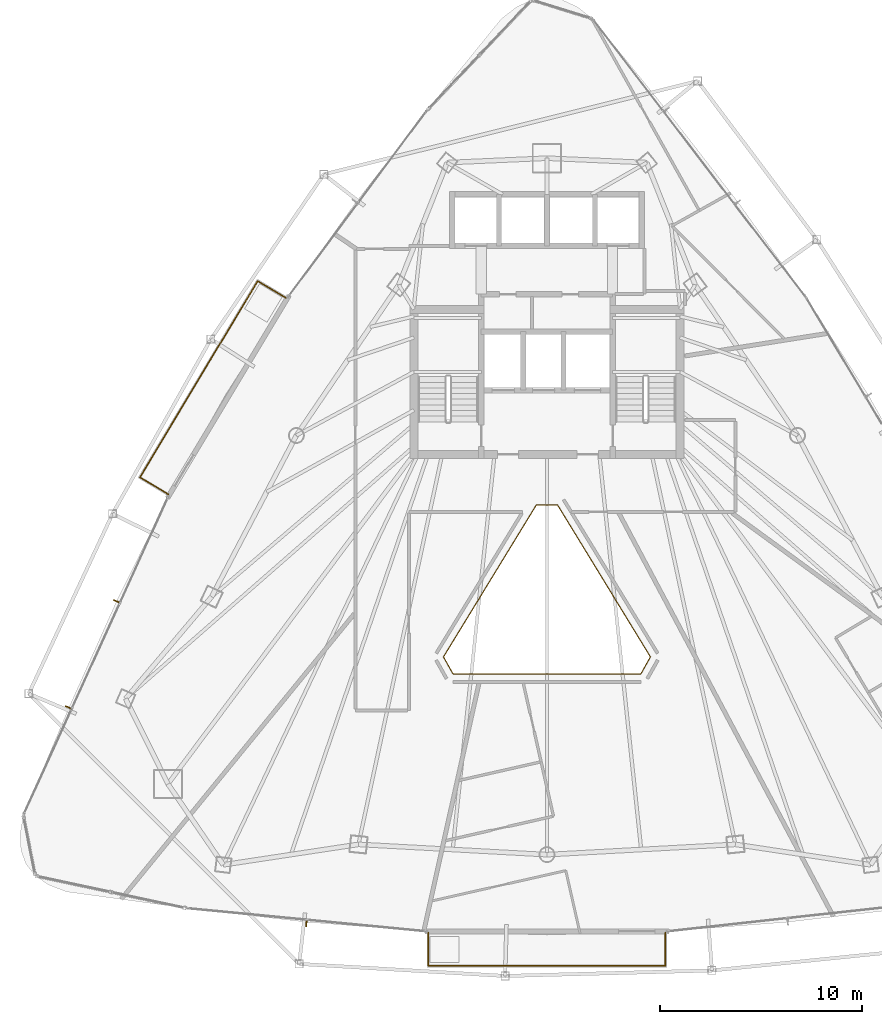
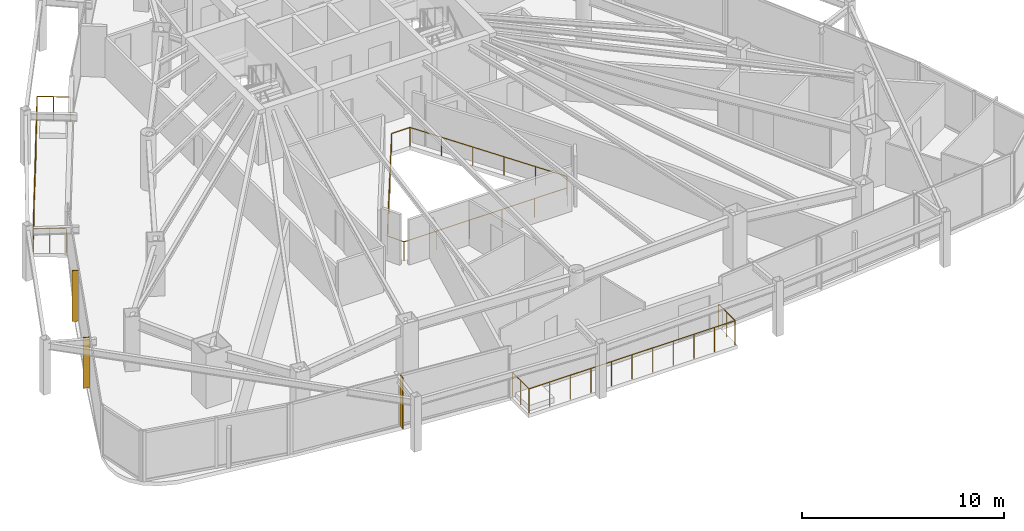
# One storey, part 31 of 33: 3 railings, 3 shading devices.
"""IFC4 building model written with IfcOpenShell, lengths in metres."""

import ifcopenshell
import ifcopenshell.guid

model = None  # the IFC model being written
_history = None  # IfcOwnerHistory: only IFC2X3 demands one
_inside = {}  # id of a spatial element -> (the spatial element, [elements in it])
_under = {}  # id of a project, library or spatial element -> (it, [spatial elements below it])
_declared = {}  # id of a project -> (the project, [libraries it declares])
_typed = {}  # id of a type object -> (the type object, [elements of that type])
_made_of = {}  # id of a material, layer set ... -> (it, [elements and type objects made of it])


def new_model(schema):
    """Start an empty IFC model of exactly this schema.

    Asked for "IFC4X3", IfcOpenShell would pick the latest addendum, in which some entities
    have other attributes; the version numbers below select the first issue.
    IFC2X3 requires an IfcOwnerHistory on every rooted entity: one is made here for all.
    """
    global model, _history
    if schema == "IFC4X3":
        model = ifcopenshell.file(schema_version=(4, 3, 0, 0))
    else:
        model = ifcopenshell.file(schema=schema)
    _inside.clear()
    _under.clear()
    _declared.clear()
    _typed.clear()
    _made_of.clear()
    _history = None
    if model.schema == "IFC2X3":
        org = make("IfcOrganization", Name="unknown")
        user = make(
            "IfcPersonAndOrganization",
            ThePerson=make("IfcPerson", FamilyName="unknown"),
            TheOrganization=org,
        )
        app = make(
            "IfcApplication",
            ApplicationDeveloper=org,
            Version="unknown",
            ApplicationFullName="unknown",
            ApplicationIdentifier="unknown",
        )
        _history = make(
            "IfcOwnerHistory",
            OwningUser=user,
            OwningApplication=app,
            ChangeAction="ADDED",
            CreationDate=0,
        )
    return model


def make(cls, **values):
    """One entity of the class cls with the attributes given. An attribute that is None is left unset."""
    return model.create_entity(
        cls, **{name: value for name, value in values.items() if value is not None}
    )


def rooted(cls, **values):
    """An entity with a GlobalId (a new one), such as an element, a storey or a relation."""
    return make(cls, GlobalId=ifcopenshell.guid.new(), OwnerHistory=_history, **values)


def si_unit(unit_type, name, prefix=None):
    """IfcSIUnit, for example si_unit("LENGTHUNIT", "METRE", prefix="MILLI")."""
    return make("IfcSIUnit", UnitType=unit_type, Prefix=prefix, Name=name)


def assignment(units):
    """IfcUnitAssignment: the units of a project."""
    return None if units is None else make("IfcUnitAssignment", Units=units)


def point(xyz):
    """IfcCartesianPoint."""
    return None if xyz is None else make("IfcCartesianPoint", Coordinates=xyz)


def direction(xyz):
    """IfcDirection."""
    return None if xyz is None else make("IfcDirection", DirectionRatios=xyz)


def frame(location, z_axis=None, x_axis=None):
    """IfcAxis2Placement3D, a coordinate frame: its origin and axes. An axis left out is left unset."""
    return make(
        "IfcAxis2Placement3D",
        Location=point(location),
        Axis=direction(z_axis),
        RefDirection=direction(x_axis),
    )


def frame_2d(location, x_axis=None):
    """IfcAxis2Placement2D, a coordinate frame in the plane: its origin and x axis."""
    return make(
        "IfcAxis2Placement2D", Location=point(location), RefDirection=direction(x_axis)
    )


def origin():
    """The frame at (0, 0, 0) with its axes left unset."""
    return frame((0.0, 0.0, 0.0))


def origin_2d():
    """The frame at (0, 0) in the plane with its x axis left unset."""
    return frame_2d((0.0, 0.0))


def place(relative_to, where):
    """IfcLocalPlacement: puts the frame where relative to a parent placement (None: the world)."""
    return make(
        "IfcLocalPlacement", PlacementRelTo=relative_to, RelativePlacement=where
    )


def context(
    kind, dimensions, precision=None, world=None, true_north=None, identifier=None
):
    """IfcGeometricRepresentationContext, for example the 3D "Model" context."""
    return make(
        "IfcGeometricRepresentationContext",
        ContextIdentifier=identifier,
        ContextType=kind,
        CoordinateSpaceDimension=dimensions,
        Precision=precision,
        WorldCoordinateSystem=world,
        TrueNorth=true_north,
    )


def subcontext(parent, identifier, kind, view, scale=None):
    """IfcGeometricRepresentationSubContext, for example "Body" below "Model"."""
    return make(
        "IfcGeometricRepresentationSubContext",
        ContextIdentifier=identifier,
        ContextType=kind,
        ParentContext=parent,
        TargetScale=scale,
        TargetView=view,
    )


def project(units=None, contexts=None):
    """IfcProject with its units and contexts."""
    return rooted(
        "IfcProject",
        Name="project",
        RepresentationContexts=contexts,
        UnitsInContext=assignment(units),
    )


def spatial(cls, under=None, at=None, **own):
    """A site, building, storey or space (cls), placed at a placement, below another one or the project."""
    s = rooted(cls, ObjectPlacement=at, **own)
    if under is not None:
        _under.setdefault(under.id(), (under, []))[1].append(s)
    return s


def profile(cls, at=None, kind="AREA", **sizes):
    """A parametric profile (cls). Its sizes go by their IFC names, for example OverallWidth=200.0."""
    return make(cls, ProfileType=kind, Position=at, **sizes)


def rectangle(**sizes):
    """IfcRectangleProfileDef."""
    return profile("IfcRectangleProfileDef", **sizes)


def circle(**sizes):
    """IfcCircleProfileDef."""
    return profile("IfcCircleProfileDef", **sizes)


def extrude(swept, where, along, depth):
    """IfcExtrudedAreaSolid: the profile swept, set in the frame where, extruded along a direction by depth."""
    return make(
        "IfcExtrudedAreaSolid",
        SweptArea=swept,
        Position=where,
        ExtrudedDirection=direction(along),
        Depth=depth,
    )


def shape(context_of_items, identifier, shape_type, items):
    """IfcShapeRepresentation: the items that make up one representation, for example the "Body"."""
    return make(
        "IfcShapeRepresentation",
        ContextOfItems=context_of_items,
        RepresentationIdentifier=identifier,
        RepresentationType=shape_type,
        Items=items,
    )


def material(Name=None, Category=None):
    """IfcMaterial."""
    return make("IfcMaterial", Name=Name, Category=Category)


def layer(
    of_material, thickness, ventilated=None, Name=None, Category=None, Priority=None
):
    """IfcMaterialLayer: one layer of a wall or slab, of a material (None: an air gap)."""
    return make(
        "IfcMaterialLayer",
        Material=of_material,
        LayerThickness=thickness,
        IsVentilated=ventilated,
        Name=Name,
        Category=Category,
        Priority=Priority,
    )


def layer_set(layers, Name=None):
    """IfcMaterialLayerSet."""
    return make("IfcMaterialLayerSet", MaterialLayers=layers, LayerSetName=Name)


def made_of(thing, what):
    """Note that an element or type object is made of a material, layer set ...; save() writes the relation."""
    if what is not None:
        _made_of.setdefault(what.id(), (what, []))[1].append(thing)
    return thing


def type_object(cls, material=None, **own):
    """A type object (cls), such as IfcWallType, which elements share."""
    return made_of(rooted(cls, **own), material)


def element(
    cls,
    number,
    at=None,
    inside=None,
    cuts=None,
    type_object=None,
    material=None,
    context=None,
    identifier="Body",
    shape_type=None,
    held_by="IfcProductDefinitionShape",
    body=None,
    shapes=None,
    **own,
):
    """One element of the class cls, such as IfcWall. Its Tag is "e" and its number.

    at: its placement. inside: the storey or other place that contains it. cuts: it is an
    opening in that element (IfcRelVoidsElement). A single representation is given by context,
    identifier, shape_type and body (its items); several are given by shapes. held_by: the class
    of the entity that holds the representations. save() writes the other relations.
    """
    e = rooted(cls, Tag="e%d" % number, ObjectPlacement=at, **own)
    if body is not None:
        shapes = [shape(context, identifier, shape_type, body)]
    if shapes is not None:
        e.Representation = make(held_by, Representations=shapes)
    if inside is not None:
        _inside.setdefault(inside.id(), (inside, []))[1].append(e)
    if cuts is not None:
        rooted(
            "IfcRelVoidsElement", RelatingBuildingElement=cuts, RelatedOpeningElement=e
        )
    if type_object is not None:
        _typed.setdefault(type_object.id(), (type_object, []))[1].append(e)
    return made_of(e, material)


def aggregate(whole, parts):
    """IfcRelAggregates: a whole, such as a stair, and the parts it consists of."""
    return rooted("IfcRelAggregates", RelatingObject=whole, RelatedObjects=parts)


def save(model, path):
    """Write the relations noted so far, then the file.

    IfcRelAggregates (storeys below a building ...), IfcRelContainedInSpatialStructure (elements
    in a storey), IfcRelDefinesByType, IfcRelAssociatesMaterial and IfcRelDeclares: one each for
    every whole, place, type object, material and project.
    """
    for whole, parts in _under.values():
        aggregate(whole, parts)
    for where, things in _inside.values():
        rooted(
            "IfcRelContainedInSpatialStructure",
            RelatedElements=things,
            RelatingStructure=where,
        )
    for kind, things in _typed.values():
        rooted("IfcRelDefinesByType", RelatedObjects=things, RelatingType=kind)
    for what, things in _made_of.values():
        rooted("IfcRelAssociatesMaterial", RelatedObjects=things, RelatingMaterial=what)
    for by, libraries in _declared.values():
        rooted("IfcRelDeclares", RelatingContext=by, RelatedDefinitions=libraries)
    model.write(path)


model = new_model("IFC4")

# Units and contexts
model_context = context("Model", 3, precision=1e-05, world=origin(), true_north=direction((0.0, 1.0)))
body_context = subcontext(model_context, "Body", "Model", "MODEL_VIEW")
ifc_project = project(units=[si_unit("LENGTHUNIT", "METRE"), si_unit("AREAUNIT", "SQUARE_METRE"), si_unit("VOLUMEUNIT", "CUBIC_METRE"), si_unit("PLANEANGLEUNIT", "RADIAN"), si_unit("MASSUNIT", "GRAM", prefix="KILO")], contexts=[model_context])

# Site, building, storey
site_placement = place(None, origin())
site = spatial("IfcSite", under=ifc_project, at=site_placement, CompositionType="ELEMENT")
building_placement = place(site_placement, origin())
building = spatial("IfcBuilding", under=site, at=building_placement, Name="Orvanel Arch Residences", CompositionType="ELEMENT")
storey_placement = place(building_placement, frame((0.0, 0.0, 116.60009765625)))
storey = spatial("IfcBuildingStorey", under=building, at=storey_placement, Name="L32", CompositionType="ELEMENT", Elevation=116.60009765625)

# Shading devices
ifc_material = material(Name="Bronze-anodised aluminium AA6063-T6", Category="aluminium")
ifc_layer = layer(ifc_material, 0.054931640625)
ifc_layer_set = layer_set([ifc_layer], Name="Bronze-anodised aluminium AA6063-T6")
shading_device_type = type_object("IfcShadingDeviceType", Name="FIN-BRZ-320", PredefinedType="USERDEFINED", material=ifc_layer_set)
for number, where, z_axis, x_axis, name in (
    (1, (11.64892578125, 19.416015625, -0.000244140625), (0.0, 0.0, 1.0), (-0.909961270877, 0.414693242656, 0.0), "L32 Anodised Bronze Mullion FIN 01"),
    (2, (9.2529296875, 14.14990234375, -0.000244140625), (0.0, 0.0, 1.0), (-0.909961270877, 0.414693242656, 0.0), "L32 Anodised Bronze Mullion FIN 02"),
    (3, (21.06494140625, 3.423095703125, -0.000244140625), (0.0, 0.0, 1.0), (-0.09584575252, -0.995396198367, 0.0), "L32 Anodised Bronze Mullion FIN 01"),
):
    element("IfcShadingDevice", number, at=place(storey_placement, frame(where, z_axis=z_axis, x_axis=x_axis)), inside=storey, type_object=shading_device_type, Name=name, ObjectType="FIN", PredefinedType="USERDEFINED", context=body_context, shape_type="SweptSolid", body=[
        extrude(rectangle(XDim=0.320068359375, YDim=0.054931640625, at=origin_2d()), origin(), (0.0, 0.0, 1.0), 3.06005859375),
    ])

# Railings
railing_type_1 = type_object("IfcRailingType", Name="RL-ATR-1150", PredefinedType="BALUSTRADE", material=ifc_material)
railing_1_placement = place(storey_placement, frame((33.52001953125, 24.198974609375, 0.0)))
element("IfcRailing", 4, at=railing_1_placement, inside=storey, type_object=railing_type_1, Name="L32 Atrium Void Protective Balustrade", PredefinedType="BALUSTRADE", context=body_context, shape_type="SweptSolid", body=[
    extrude(circle(Radius=0.02392578125, at=origin_2d()), frame((-0.00146484375, 0.0, 1.1259765625), z_axis=(-1.0, 0.0, 0.0), x_axis=(0.0, -1.0, 0.0)), (0.0, 0.0, 1.0), 1.037109375),
    extrude(circle(Radius=0.02392578125, at=origin_2d()), frame((-1.040771484375, -0.001220703125, 1.1259765625), z_axis=(-0.521622037561, -0.853176681544, 0.0), x_axis=(0.853176681544, -0.521622037561, 0.0)), (0.0, 0.0, 1.0), 8.8369140625),
    extrude(circle(Radius=0.02392578125, at=origin_2d()), frame((-5.650390625, -7.543212890625, 1.1259765625), z_axis=(0.488953837544, -0.872309661044, 0.0), x_axis=(0.872309661044, 0.488953837544, 0.0)), (0.0, 0.0, 1.0), 0.97265625),
    extrude(circle(Radius=0.02392578125, at=origin_2d()), frame((-5.172607421875, -8.39306640625, 1.1259765625), z_axis=(1.0, 0.0, 0.0), x_axis=(0.0, 1.0, 0.0)), (0.0, 0.0, 1.0), 9.30517578125),
    extrude(circle(Radius=0.02392578125, at=origin_2d()), frame((4.134765625, -8.391845703125, 1.1259765625), z_axis=(0.488953837544, 0.872309661044, 0.0), x_axis=(-0.872309661044, 0.488953837544, 0.0)), (0.0, 0.0, 1.0), 0.97265625),
    extrude(circle(Radius=0.02392578125, at=origin_2d()), frame((4.6103515625, -7.540771484375, 1.1259765625), z_axis=(-0.521622037561, 0.853176681544, 0.0), x_axis=(-0.853176681544, -0.521622037561, 0.0)), (0.0, 0.0, 1.0), 8.8369140625),
    extrude(circle(Radius=0.02099609375, at=origin_2d()), origin(), (0.0, 0.0, 1.0), 1.099853515625),
    extrude(circle(Radius=0.02099609375, at=origin_2d()), frame((-1.0400390625, 0.0, 0.0)), (0.0, 0.0, 1.0), 1.099853515625),
    extrude(circle(Radius=0.02099609375, at=origin_2d()), frame((-1.962158203125, -1.50830078125, 0.0)), (0.0, 0.0, 1.0), 1.099853515625),
    extrude(circle(Radius=0.02099609375, at=origin_2d()), frame((-2.884521484375, -3.016845703125, 0.0)), (0.0, 0.0, 1.0), 1.099853515625),
    extrude(circle(Radius=0.02099609375, at=origin_2d()), frame((-3.806640625, -4.525146484375, 0.0)), (0.0, 0.0, 1.0), 1.099853515625),
    extrude(circle(Radius=0.02099609375, at=origin_2d()), frame((-4.72900390625, -6.03369140625, 0.0)), (0.0, 0.0, 1.0), 1.099853515625),
    extrude(circle(Radius=0.02099609375, at=origin_2d()), frame((-5.651123046875, -7.5419921875, 0.0)), (0.0, 0.0, 1.0), 1.099853515625),
    extrude(circle(Radius=0.02099609375, at=origin_2d()), frame((-5.174072265625, -8.39306640625, 0.0)), (0.0, 0.0, 1.0), 1.099853515625),
    extrude(circle(Radius=0.02099609375, at=origin_2d()), frame((-3.3125, -8.39306640625, 0.0)), (0.0, 0.0, 1.0), 1.099853515625),
    extrude(circle(Radius=0.02099609375, at=origin_2d()), frame((-1.450927734375, -8.39306640625, 0.0)), (0.0, 0.0, 1.0), 1.099853515625),
    extrude(circle(Radius=0.02099609375, at=origin_2d()), frame((0.410888671875, -8.39306640625, 0.0)), (0.0, 0.0, 1.0), 1.099853515625),
    extrude(circle(Radius=0.02099609375, at=origin_2d()), frame((2.2724609375, -8.39306640625, 0.0)), (0.0, 0.0, 1.0), 1.099853515625),
    extrude(circle(Radius=0.02099609375, at=origin_2d()), frame((4.134033203125, -8.39306640625, 0.0)), (0.0, 0.0, 1.0), 1.099853515625),
    extrude(circle(Radius=0.02099609375, at=origin_2d()), frame((4.611083984375, -7.5419921875, 0.0)), (0.0, 0.0, 1.0), 1.099853515625),
    extrude(circle(Radius=0.02099609375, at=origin_2d()), frame((3.68896484375, -6.03369140625, 0.0)), (0.0, 0.0, 1.0), 1.099853515625),
    extrude(circle(Radius=0.02099609375, at=origin_2d()), frame((2.7666015625, -4.525146484375, 0.0)), (0.0, 0.0, 1.0), 1.099853515625),
    extrude(circle(Radius=0.02099609375, at=origin_2d()), frame((1.844482421875, -3.016845703125, 0.0)), (0.0, 0.0, 1.0), 1.099853515625),
    extrude(circle(Radius=0.02099609375, at=origin_2d()), frame((0.922119140625, -1.50830078125, 0.0)), (0.0, 0.0, 1.0), 1.099853515625),
])
railing_type_2 = type_object("IfcRailingType", Name="RL-BAL-1480", PredefinedType="BALUSTRADE", material=ifc_material)
railing_2_placement = place(storey_placement, frame((20.056884765625, 34.464111328125, 0.0)))
element("IfcRailing", 5, at=railing_2_placement, inside=storey, type_object=railing_type_2, Name="L32 Balcony Perimeter Guardrail Face 1", PredefinedType="BALUSTRADE", context=body_context, shape_type="SweptSolid", body=[
    extrude(circle(Radius=0.02392578125, at=origin_2d()), frame((-0.001220703125, 0.000732421875, 1.4560546875), z_axis=(-0.857387817543, 0.514670895164, 0.0), x_axis=(-0.514670895164, -0.857387817543, 0.0)), (0.0, 0.0, 1.0), 1.636962890625),
    extrude(circle(Radius=0.02392578125, at=origin_2d()), frame((-1.40673828125, 0.8427734375, 1.4560546875), z_axis=(-0.514435715158, -0.857528947016, 0.0), x_axis=(0.857528947016, -0.514435715158, 0.0)), (0.0, 0.0, 1.0), 11.35888671875),
    extrude(circle(Radius=0.02392578125, at=origin_2d()), frame((-7.249755859375, -8.89990234375, 1.4560546875), z_axis=(0.857545439568, -0.514408222208, 0.0), x_axis=(0.514408222208, 0.857545439568, 0.0)), (0.0, 0.0, 1.0), 1.6376953125),
    extrude(circle(Radius=0.02099609375, at=origin_2d()), origin(), (0.0, 0.0, 1.0), 1.429931640625),
    extrude(circle(Radius=0.02099609375, at=origin_2d()), frame((-0.703125, 0.421875, 0.0)), (0.0, 0.0, 1.0), 1.429931640625),
    extrude(circle(Radius=0.02099609375, at=origin_2d()), frame((-1.406005859375, 0.843994140625, 0.0)), (0.0, 0.0, 1.0), 1.429931640625),
    extrude(circle(Radius=0.02099609375, at=origin_2d()), frame((-1.990478515625, -0.13037109375, 0.0)), (0.0, 0.0, 1.0), 1.429931640625),
    extrude(circle(Radius=0.02099609375, at=origin_2d()), frame((-2.574951171875, -1.104736328125, 0.0)), (0.0, 0.0, 1.0), 1.429931640625),
    extrude(circle(Radius=0.02099609375, at=origin_2d()), frame((-3.159423828125, -2.078857421875, 0.0)), (0.0, 0.0, 1.0), 1.429931640625),
    extrude(circle(Radius=0.02099609375, at=origin_2d()), frame((-3.743896484375, -3.05322265625, 0.0)), (0.0, 0.0, 1.0), 1.429931640625),
    extrude(circle(Radius=0.02099609375, at=origin_2d()), frame((-4.32861328125, -4.027587890625, 0.0)), (0.0, 0.0, 1.0), 1.429931640625),
    extrude(circle(Radius=0.02099609375, at=origin_2d()), frame((-4.9130859375, -5.001953125, 0.0)), (0.0, 0.0, 1.0), 1.429931640625),
    extrude(circle(Radius=0.02099609375, at=origin_2d()), frame((-5.49755859375, -5.976318359375, 0.0)), (0.0, 0.0, 1.0), 1.429931640625),
    extrude(circle(Radius=0.02099609375, at=origin_2d()), frame((-6.08203125, -6.950439453125, 0.0)), (0.0, 0.0, 1.0), 1.429931640625),
    extrude(circle(Radius=0.02099609375, at=origin_2d()), frame((-6.66650390625, -7.9248046875, 0.0)), (0.0, 0.0, 1.0), 1.429931640625),
    extrude(circle(Radius=0.02099609375, at=origin_2d()), frame((-7.2509765625, -8.899169921875, 0.0)), (0.0, 0.0, 1.0), 1.429931640625),
    extrude(circle(Radius=0.02099609375, at=origin_2d()), frame((-6.54736328125, -9.3212890625, 0.0)), (0.0, 0.0, 1.0), 1.429931640625),
    extrude(circle(Radius=0.02099609375, at=origin_2d()), frame((-5.843994140625, -9.7431640625, 0.0)), (0.0, 0.0, 1.0), 1.429931640625),
])
railing_3_placement = place(storey_placement, frame((27.12109375, 2.972900390625, 0.0)))
element("IfcRailing", 6, at=railing_3_placement, inside=storey, type_object=railing_type_2, Name="L32 Balcony Perimeter Guardrail Face 2", PredefinedType="BALUSTRADE", context=body_context, shape_type="SweptSolid", body=[
    extrude(circle(Radius=0.02392578125, at=origin_2d()), frame((0.0, -0.00146484375, 1.4560546875), z_axis=(0.0, -1.0, 0.0), x_axis=(1.0, 0.0, 0.0)), (0.0, 0.0, 1.0), 1.636962890625),
    extrude(circle(Radius=0.02392578125, at=origin_2d()), frame((0.00146484375, -1.639892578125, 1.4560546875), z_axis=(1.0, 0.0, 0.0), x_axis=(0.0, 1.0, 0.0)), (0.0, 0.0, 1.0), 11.7548828125),
    extrude(circle(Radius=0.02392578125, at=origin_2d()), frame((11.7578125, -1.638427734375, 1.4560546875), z_axis=(0.0, 1.0, 0.0), x_axis=(-1.0, 0.0, 0.0)), (0.0, 0.0, 1.0), 1.636962890625),
    extrude(circle(Radius=0.02099609375, at=origin_2d()), origin(), (0.0, 0.0, 1.0), 1.429931640625),
    extrude(circle(Radius=0.02099609375, at=origin_2d()), frame((0.0, -0.81982421875, 0.0)), (0.0, 0.0, 1.0), 1.429931640625),
    extrude(circle(Radius=0.02099609375, at=origin_2d()), frame((0.0, -1.639892578125, 0.0)), (0.0, 0.0, 1.0), 1.429931640625),
    extrude(circle(Radius=0.02099609375, at=origin_2d()), frame((1.17578125, -1.639892578125, 0.0)), (0.0, 0.0, 1.0), 1.429931640625),
    extrude(circle(Radius=0.02099609375, at=origin_2d()), frame((2.3515625, -1.639892578125, 0.0)), (0.0, 0.0, 1.0), 1.429931640625),
    extrude(circle(Radius=0.02099609375, at=origin_2d()), frame((3.52734375, -1.639892578125, 0.0)), (0.0, 0.0, 1.0), 1.429931640625),
    extrude(circle(Radius=0.02099609375, at=origin_2d()), frame((4.703125, -1.639892578125, 0.0)), (0.0, 0.0, 1.0), 1.429931640625),
    extrude(circle(Radius=0.02099609375, at=origin_2d()), frame((5.87890625, -1.639892578125, 0.0)), (0.0, 0.0, 1.0), 1.429931640625),
    extrude(circle(Radius=0.02099609375, at=origin_2d()), frame((7.0546875, -1.639892578125, 0.0)), (0.0, 0.0, 1.0), 1.429931640625),
    extrude(circle(Radius=0.02099609375, at=origin_2d()), frame((8.23046875, -1.639892578125, 0.0)), (0.0, 0.0, 1.0), 1.429931640625),
    extrude(circle(Radius=0.02099609375, at=origin_2d()), frame((9.40625, -1.639892578125, 0.0)), (0.0, 0.0, 1.0), 1.429931640625),
    extrude(circle(Radius=0.02099609375, at=origin_2d()), frame((10.58203125, -1.639892578125, 0.0)), (0.0, 0.0, 1.0), 1.429931640625),
    extrude(circle(Radius=0.02099609375, at=origin_2d()), frame((11.7578125, -1.639892578125, 0.0)), (0.0, 0.0, 1.0), 1.429931640625),
    extrude(circle(Radius=0.02099609375, at=origin_2d()), frame((11.7578125, -0.81982421875, 0.0)), (0.0, 0.0, 1.0), 1.429931640625),
    extrude(circle(Radius=0.02099609375, at=origin_2d()), frame((11.7578125, 0.0, 0.0)), (0.0, 0.0, 1.0), 1.429931640625),
])

save(model, "model.ifc")
